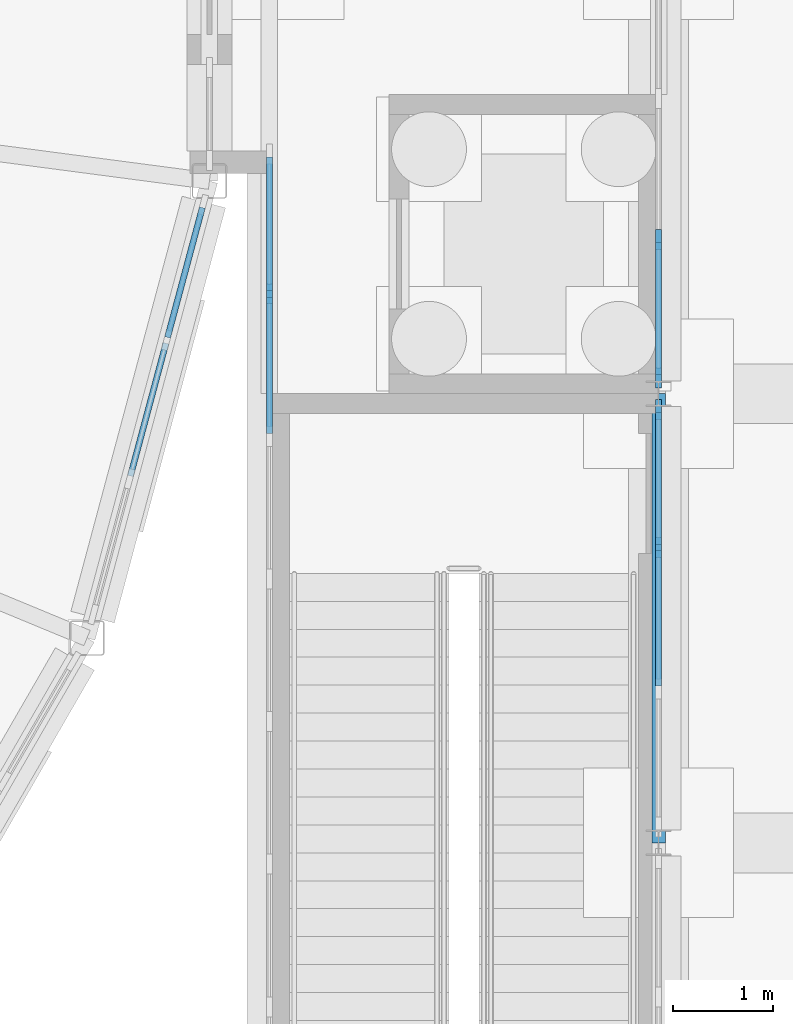
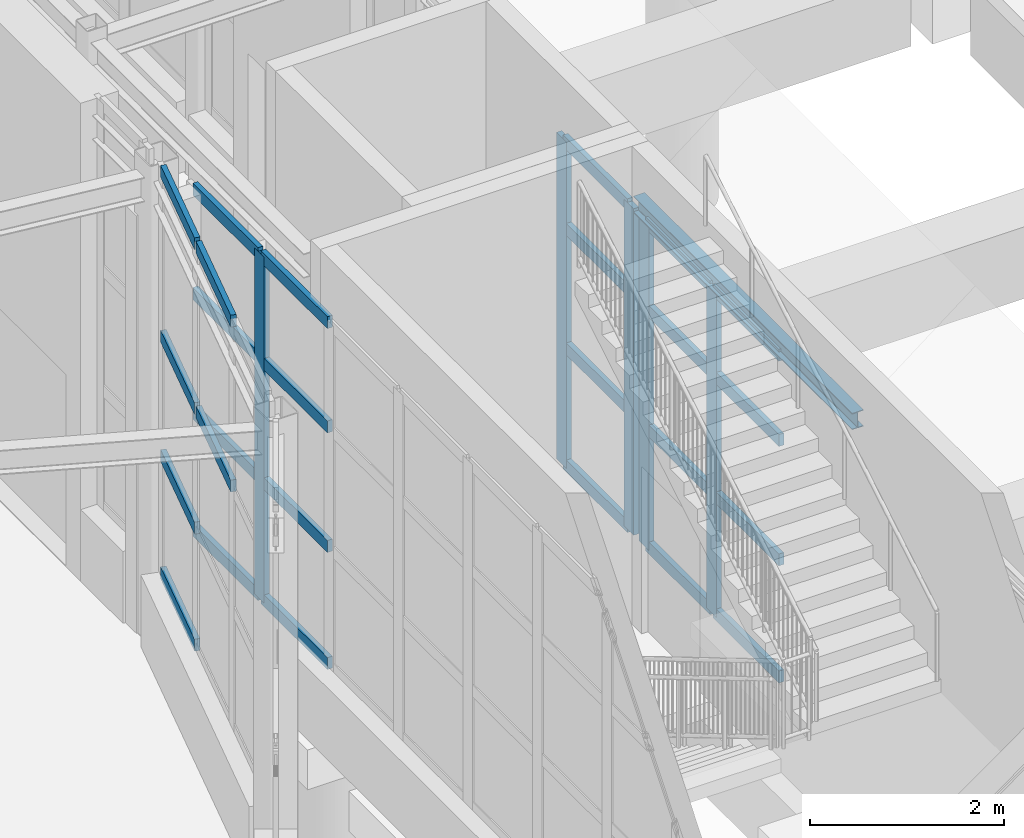
# One storey, part 41 of 106: 31 members, 1 beam, 4 elements without a shape of their own.
"""IFC4 building model written with IfcOpenShell, lengths in metres."""

import ifcopenshell
import ifcopenshell.guid

model = None  # the IFC model being written
_history = None  # IfcOwnerHistory: only IFC2X3 demands one
_inside = {}  # id of a spatial element -> (the spatial element, [elements in it])
_under = {}  # id of a project, library or spatial element -> (it, [spatial elements below it])
_declared = {}  # id of a project -> (the project, [libraries it declares])
_typed = {}  # id of a type object -> (the type object, [elements of that type])
_made_of = {}  # id of a material, layer set ... -> (it, [elements and type objects made of it])


def new_model(schema):
    """Start an empty IFC model of exactly this schema.

    Asked for "IFC4X3", IfcOpenShell would pick the latest addendum, in which some entities
    have other attributes; the version numbers below select the first issue.
    IFC2X3 requires an IfcOwnerHistory on every rooted entity: one is made here for all.
    """
    global model, _history
    if schema == "IFC4X3":
        model = ifcopenshell.file(schema_version=(4, 3, 0, 0))
    else:
        model = ifcopenshell.file(schema=schema)
    _inside.clear()
    _under.clear()
    _declared.clear()
    _typed.clear()
    _made_of.clear()
    _history = None
    if model.schema == "IFC2X3":
        org = make("IfcOrganization", Name="unknown")
        user = make(
            "IfcPersonAndOrganization",
            ThePerson=make("IfcPerson", FamilyName="unknown"),
            TheOrganization=org,
        )
        app = make(
            "IfcApplication",
            ApplicationDeveloper=org,
            Version="unknown",
            ApplicationFullName="unknown",
            ApplicationIdentifier="unknown",
        )
        _history = make(
            "IfcOwnerHistory",
            OwningUser=user,
            OwningApplication=app,
            ChangeAction="ADDED",
            CreationDate=0,
        )
    return model


def make(cls, **values):
    """One entity of the class cls with the attributes given. An attribute that is None is left unset."""
    return model.create_entity(
        cls, **{name: value for name, value in values.items() if value is not None}
    )


def rooted(cls, **values):
    """An entity with a GlobalId (a new one), such as an element, a storey or a relation."""
    return make(cls, GlobalId=ifcopenshell.guid.new(), OwnerHistory=_history, **values)


def si_unit(unit_type, name, prefix=None):
    """IfcSIUnit, for example si_unit("LENGTHUNIT", "METRE", prefix="MILLI")."""
    return make("IfcSIUnit", UnitType=unit_type, Prefix=prefix, Name=name)


def assignment(units):
    """IfcUnitAssignment: the units of a project."""
    return None if units is None else make("IfcUnitAssignment", Units=units)


def point(xyz):
    """IfcCartesianPoint."""
    return None if xyz is None else make("IfcCartesianPoint", Coordinates=xyz)


def direction(xyz):
    """IfcDirection."""
    return None if xyz is None else make("IfcDirection", DirectionRatios=xyz)


def frame(location, z_axis=None, x_axis=None):
    """IfcAxis2Placement3D, a coordinate frame: its origin and axes. An axis left out is left unset."""
    return make(
        "IfcAxis2Placement3D",
        Location=point(location),
        Axis=direction(z_axis),
        RefDirection=direction(x_axis),
    )


def frame_2d(location, x_axis=None):
    """IfcAxis2Placement2D, a coordinate frame in the plane: its origin and x axis."""
    return make(
        "IfcAxis2Placement2D", Location=point(location), RefDirection=direction(x_axis)
    )


def origin():
    """The frame at (0, 0, 0) with its axes left unset."""
    return frame((0.0, 0.0, 0.0))


def origin_2d():
    """The frame at (0, 0) in the plane with its x axis left unset."""
    return frame_2d((0.0, 0.0))


def place(relative_to, where):
    """IfcLocalPlacement: puts the frame where relative to a parent placement (None: the world)."""
    return make(
        "IfcLocalPlacement", PlacementRelTo=relative_to, RelativePlacement=where
    )


def context(
    kind, dimensions, precision=None, world=None, true_north=None, identifier=None
):
    """IfcGeometricRepresentationContext, for example the 3D "Model" context."""
    return make(
        "IfcGeometricRepresentationContext",
        ContextIdentifier=identifier,
        ContextType=kind,
        CoordinateSpaceDimension=dimensions,
        Precision=precision,
        WorldCoordinateSystem=world,
        TrueNorth=true_north,
    )


def subcontext(parent, identifier, kind, view, scale=None):
    """IfcGeometricRepresentationSubContext, for example "Body" below "Model"."""
    return make(
        "IfcGeometricRepresentationSubContext",
        ContextIdentifier=identifier,
        ContextType=kind,
        ParentContext=parent,
        TargetScale=scale,
        TargetView=view,
    )


def project(units=None, contexts=None):
    """IfcProject with its units and contexts."""
    return rooted(
        "IfcProject",
        Name="project",
        RepresentationContexts=contexts,
        UnitsInContext=assignment(units),
    )


def spatial(cls, under=None, at=None, **own):
    """A site, building, storey or space (cls), placed at a placement, below another one or the project."""
    s = rooted(cls, ObjectPlacement=at, **own)
    if under is not None:
        _under.setdefault(under.id(), (under, []))[1].append(s)
    return s


def profile(cls, at=None, kind="AREA", **sizes):
    """A parametric profile (cls). Its sizes go by their IFC names, for example OverallWidth=200.0."""
    return make(cls, ProfileType=kind, Position=at, **sizes)


def rectangle(**sizes):
    """IfcRectangleProfileDef."""
    return profile("IfcRectangleProfileDef", **sizes)


def i_section(**sizes):
    """IfcIShapeProfileDef."""
    return profile("IfcIShapeProfileDef", **sizes)


def extrude(swept, where, along, depth):
    """IfcExtrudedAreaSolid: the profile swept, set in the frame where, extruded along a direction by depth."""
    return make(
        "IfcExtrudedAreaSolid",
        SweptArea=swept,
        Position=where,
        ExtrudedDirection=direction(along),
        Depth=depth,
    )


def shape(context_of_items, identifier, shape_type, items):
    """IfcShapeRepresentation: the items that make up one representation, for example the "Body"."""
    return make(
        "IfcShapeRepresentation",
        ContextOfItems=context_of_items,
        RepresentationIdentifier=identifier,
        RepresentationType=shape_type,
        Items=items,
    )


def material(Name=None, Category=None):
    """IfcMaterial."""
    return make("IfcMaterial", Name=Name, Category=Category)


def layer(
    of_material, thickness, ventilated=None, Name=None, Category=None, Priority=None
):
    """IfcMaterialLayer: one layer of a wall or slab, of a material (None: an air gap)."""
    return make(
        "IfcMaterialLayer",
        Material=of_material,
        LayerThickness=thickness,
        IsVentilated=ventilated,
        Name=Name,
        Category=Category,
        Priority=Priority,
    )


def layer_set(layers, Name=None):
    """IfcMaterialLayerSet."""
    return make("IfcMaterialLayerSet", MaterialLayers=layers, LayerSetName=Name)


def material_profile(
    of_material, cross_section, Name=None, Category=None, Priority=None
):
    """IfcMaterialProfile: a cross section and its material."""
    return make(
        "IfcMaterialProfile",
        Name=Name,
        Material=of_material,
        Profile=cross_section,
        Priority=Priority,
        Category=Category,
    )


def profile_set(profiles, Name=None, composite=None):
    """IfcMaterialProfileSet."""
    return make(
        "IfcMaterialProfileSet",
        Name=Name,
        MaterialProfiles=profiles,
        CompositeProfile=composite,
    )


def made_of(thing, what):
    """Note that an element or type object is made of a material, layer set ...; save() writes the relation."""
    if what is not None:
        _made_of.setdefault(what.id(), (what, []))[1].append(thing)
    return thing


def type_object(cls, material=None, **own):
    """A type object (cls), such as IfcWallType, which elements share."""
    return made_of(rooted(cls, **own), material)


def element(
    cls,
    number,
    at=None,
    inside=None,
    cuts=None,
    type_object=None,
    material=None,
    context=None,
    identifier="Body",
    shape_type=None,
    held_by="IfcProductDefinitionShape",
    body=None,
    shapes=None,
    **own,
):
    """One element of the class cls, such as IfcWall. Its Tag is "e" and its number.

    at: its placement. inside: the storey or other place that contains it. cuts: it is an
    opening in that element (IfcRelVoidsElement). A single representation is given by context,
    identifier, shape_type and body (its items); several are given by shapes. held_by: the class
    of the entity that holds the representations. save() writes the other relations.
    """
    e = rooted(cls, Tag="e%d" % number, ObjectPlacement=at, **own)
    if body is not None:
        shapes = [shape(context, identifier, shape_type, body)]
    if shapes is not None:
        e.Representation = make(held_by, Representations=shapes)
    if inside is not None:
        _inside.setdefault(inside.id(), (inside, []))[1].append(e)
    if cuts is not None:
        rooted(
            "IfcRelVoidsElement", RelatingBuildingElement=cuts, RelatedOpeningElement=e
        )
    if type_object is not None:
        _typed.setdefault(type_object.id(), (type_object, []))[1].append(e)
    return made_of(e, material)


def aggregate(whole, parts):
    """IfcRelAggregates: a whole, such as a stair, and the parts it consists of."""
    return rooted("IfcRelAggregates", RelatingObject=whole, RelatedObjects=parts)


def save(model, path):
    """Write the relations noted so far, then the file.

    IfcRelAggregates (storeys below a building ...), IfcRelContainedInSpatialStructure (elements
    in a storey), IfcRelDefinesByType, IfcRelAssociatesMaterial and IfcRelDeclares: one each for
    every whole, place, type object, material and project.
    """
    for whole, parts in _under.values():
        aggregate(whole, parts)
    for where, things in _inside.values():
        rooted(
            "IfcRelContainedInSpatialStructure",
            RelatedElements=things,
            RelatingStructure=where,
        )
    for kind, things in _typed.values():
        rooted("IfcRelDefinesByType", RelatedObjects=things, RelatingType=kind)
    for what, things in _made_of.values():
        rooted("IfcRelAssociatesMaterial", RelatedObjects=things, RelatingMaterial=what)
    for by, libraries in _declared.values():
        rooted("IfcRelDeclares", RelatingContext=by, RelatedDefinitions=libraries)
    model.write(path)


model = new_model("IFC4")

# Units and contexts
model_context = context("Model", 3, precision=1e-05, world=origin(), true_north=direction((0.0, 1.0)))
body_context = subcontext(model_context, "Body", "Model", "MODEL_VIEW")
ifc_project = project(units=[si_unit("LENGTHUNIT", "METRE"), si_unit("AREAUNIT", "SQUARE_METRE"), si_unit("VOLUMEUNIT", "CUBIC_METRE"), si_unit("PLANEANGLEUNIT", "RADIAN"), si_unit("MASSUNIT", "GRAM", prefix="KILO")], contexts=[model_context])

# Site, building, storey
site_placement = place(None, origin())
site = spatial("IfcSite", under=ifc_project, at=site_placement, CompositionType="ELEMENT")
building_placement = place(site_placement, origin())
building = spatial("IfcBuilding", under=site, at=building_placement, Name="Hortulan Conservatory and Botanical Research Centre", CompositionType="ELEMENT")
storey_placement = place(building_placement, origin())
storey = spatial("IfcBuildingStorey", under=building, at=storey_placement, Name="L00", CompositionType="ELEMENT", Elevation=0.0)

# Curtain wall, member
ifc_material_1 = material(Name="Bronze-finished aluminium", Category="aluminium")
ifc_layer = layer(ifc_material_1, 0.10009765625)
ifc_layer_set = layer_set([ifc_layer], Name="Bronze-framed Curtain Wall 1500 module")
curtain_wall_type = type_object("IfcCurtainWallType", Name="Bronze-framed Curtain Wall 1500 module", PredefinedType="NOTDEFINED", material=ifc_layer_set)
curtain_wall_1_placement = place(storey_placement, origin())
curtain_wall_1 = element("IfcCurtainWall", 1, at=curtain_wall_1_placement, inside=storey, type_object=curtain_wall_type, Name="Curtain wall", PredefinedType="NOTDEFINED")
ifc_material_profile_1 = material_profile(ifc_material_1, rectangle(XDim=0.06005859375, YDim=0.199951171875, at=origin_2d()), Name="Bronze Mullion 60x200")
ifc_profile_set_1 = profile_set([ifc_material_profile_1], Name="Bronze-finished aluminium")
member_type_1 = type_object("IfcMemberType", Name="Bronze Mullion 60x200", PredefinedType="MULLION", material=ifc_profile_set_1)
member_1_placement = place(storey_placement, frame((72.60009765625, 14.50146484375, 0.89990234375), z_axis=(0.0, 0.0, 1.0), x_axis=(-1.0, 0.0, 0.0)))
member_1 = element("IfcMember", 2, at=member_1_placement, type_object=member_type_1, Name="CW1 mullion 8", PredefinedType="MULLION", context=body_context, shape_type="SweptSolid", body=[
    extrude(rectangle(XDim=0.06005859375, YDim=0.199951171875, at=origin_2d()), origin(), (0.0, 0.0, 1.0), 4.340087890625),
])

# Curtain wall, members
curtain_wall_2_placement = place(storey_placement, origin())
curtain_wall_2 = element("IfcCurtainWall", 3, at=curtain_wall_2_placement, inside=storey, type_object=curtain_wall_type, Name="Curtain wall", PredefinedType="NOTDEFINED")
member_2_placement = place(storey_placement, frame((76.5, 15.04296875, 0.89990234375), z_axis=(0.0, 0.0, 1.0), x_axis=(1.0, 0.0, 0.0)))
member_2 = element("IfcMember", 4, at=member_2_placement, type_object=member_type_1, Name="CW1 mullion 3", PredefinedType="MULLION", context=body_context, shape_type="SweptSolid", body=[
    extrude(rectangle(XDim=0.06005859375, YDim=0.199951171875, at=origin_2d()), origin(), (0.0, 0.0, 1.0), 4.10009765625),
])
member_3_placement = place(storey_placement, frame((76.5, 13.656982421875, 0.89990234375), z_axis=(0.0, 0.0, 1.0), x_axis=(1.0, 0.0, 0.0)))
member_3 = element("IfcMember", 5, at=member_3_placement, type_object=member_type_1, Name="CW1 mullion 4", PredefinedType="MULLION", context=body_context, shape_type="SweptSolid", body=[
    extrude(rectangle(XDim=0.06005859375, YDim=0.199951171875, at=origin_2d()), origin(), (0.0, 0.0, 1.0), 4.10009765625),
])

curtain_wall_3_placement = place(storey_placement, origin())
curtain_wall_3 = element("IfcCurtainWall", 6, at=curtain_wall_3_placement, inside=storey, type_object=curtain_wall_type, Name="Curtain wall", PredefinedType="NOTDEFINED")
member_4_placement = place(storey_placement, frame((76.5, 13.343017578125, 0.89990234375), z_axis=(0.0, 0.0, 1.0), x_axis=(1.0, 0.0, 0.0)))
member_4 = element("IfcMember", 7, at=member_4_placement, type_object=member_type_1, Name="CW1 mullion 1", PredefinedType="MULLION", context=body_context, shape_type="SweptSolid", body=[
    extrude(rectangle(XDim=0.06005859375, YDim=0.199951171875, at=origin_2d()), origin(), (0.0, 0.0, 1.0), 4.10009765625),
])
member_5_placement = place(storey_placement, frame((76.5, 11.957763671875, 0.89990234375), z_axis=(0.0, 0.0, 1.0), x_axis=(1.0, 0.0, 0.0)))
member_5 = element("IfcMember", 8, at=member_5_placement, type_object=member_type_1, Name="CW1 mullion 2", PredefinedType="MULLION", context=body_context, shape_type="SweptSolid", body=[
    extrude(rectangle(XDim=0.06005859375, YDim=0.199951171875, at=origin_2d()), origin(), (0.0, 0.0, 1.0), 4.10009765625),
])

curtain_wall_4_placement = place(storey_placement, origin())
curtain_wall_4 = element("IfcCurtainWall", 9, at=curtain_wall_4_placement, inside=storey, type_object=curtain_wall_type, Name="Curtain wall", PredefinedType="NOTDEFINED")
ifc_material_profile_2 = material_profile(ifc_material_1, rectangle(XDim=0.06005859375, YDim=0.14990234375, at=origin_2d()), Name="Bronze Transom 60x150")
ifc_profile_set_2 = profile_set([ifc_material_profile_2], Name="Bronze-finished aluminium")
member_type_2 = type_object("IfcMemberType", Name="Bronze Transom 60x150", PredefinedType="USERDEFINED", material=ifc_profile_set_2)
member_6_placement = place(storey_placement, frame((71.928955078125, 15.364990234375, 0.929931640625), z_axis=(-0.258835745824, -0.965921351189, 0.0), x_axis=(0.965921351189, -0.258835745824, 0.0)))
member_6 = element("IfcMember", 10, at=member_6_placement, type_object=member_type_2, Name="CW1 transom 1.1", ObjectType="TRANSOM", PredefinedType="USERDEFINED", context=body_context, shape_type="SweptSolid", body=[
    extrude(rectangle(XDim=0.06005859375, YDim=0.14990234375, at=origin_2d()), origin(), (0.0, 0.0, 1.0), 1.346923828125),
])
member_7_placement = place(storey_placement, frame((71.928955078125, 15.364990234375, 2.39990234375), z_axis=(-0.258835745824, -0.965921351189, 0.0), x_axis=(0.965921351189, -0.258835745824, 0.0)))
member_7 = element("IfcMember", 11, at=member_7_placement, type_object=member_type_2, Name="CW1 transom 1.2", ObjectType="TRANSOM", PredefinedType="USERDEFINED", context=body_context, shape_type="SweptSolid", body=[
    extrude(rectangle(XDim=0.06005859375, YDim=0.14990234375, at=origin_2d()), origin(), (0.0, 0.0, 1.0), 1.346923828125),
])
member_8_placement = place(storey_placement, frame((71.928955078125, 15.364990234375, 3.89990234375), z_axis=(-0.258835745824, -0.965921351189, 0.0), x_axis=(0.965921351189, -0.258835745824, 0.0)))
member_8 = element("IfcMember", 12, at=member_8_placement, type_object=member_type_2, Name="CW1 transom 1.3", ObjectType="TRANSOM", PredefinedType="USERDEFINED", context=body_context, shape_type="SweptSolid", body=[
    extrude(rectangle(XDim=0.06005859375, YDim=0.14990234375, at=origin_2d()), origin(), (0.0, 0.0, 1.0), 1.346923828125),
])
member_9_placement = place(storey_placement, frame((71.928955078125, 15.364990234375, 5.969970703125), z_axis=(-0.258835745824, -0.965921351189, 0.0), x_axis=(0.965921351189, -0.258835745824, 0.0)))
member_9 = element("IfcMember", 13, at=member_9_placement, type_object=member_type_2, Name="CW1 transom 1.4", ObjectType="TRANSOM", PredefinedType="USERDEFINED", context=body_context, shape_type="SweptSolid", body=[
    extrude(rectangle(XDim=0.06005859375, YDim=0.14990234375, at=origin_2d()), origin(), (0.0, 0.0, 1.0), 1.346923828125),
])
member_10_placement = place(storey_placement, frame((71.564697265625, 14.006103515625, 3.89990234375), z_axis=(-0.258688817498, -0.965960711262, 0.0), x_axis=(0.965960711262, -0.258688817498, 0.0)))
member_10 = element("IfcMember", 14, at=member_10_placement, type_object=member_type_2, Name="CW1 transom 2.3", ObjectType="TRANSOM", PredefinedType="USERDEFINED", context=body_context, shape_type="SweptSolid", body=[
    extrude(rectangle(XDim=0.06005859375, YDim=0.14990234375, at=origin_2d()), origin(), (0.0, 0.0, 1.0), 1.376953125),
])
member_11_placement = place(storey_placement, frame((71.564697265625, 14.006103515625, 5.969970703125), z_axis=(-0.258688817498, -0.965960711262, 0.0), x_axis=(0.965960711262, -0.258688817498, 0.0)))
member_11 = element("IfcMember", 15, at=member_11_placement, type_object=member_type_2, Name="CW1 transom 2.4", ObjectType="TRANSOM", PredefinedType="USERDEFINED", context=body_context, shape_type="SweptSolid", body=[
    extrude(rectangle(XDim=0.06005859375, YDim=0.14990234375, at=origin_2d()), origin(), (0.0, 0.0, 1.0), 1.376953125),
])
aggregate(curtain_wall_4, [member_6, member_7, member_8, member_9, member_10, member_11])

# Member
member_12_placement = place(storey_placement, frame((72.60009765625, 13.102783203125, 0.929931640625), z_axis=(0.0, 1.0, 0.0), x_axis=(-1.0, 0.0, 0.0)))
member_12 = element("IfcMember", 16, at=member_12_placement, type_object=member_type_2, Name="CW1 transom 7.1", ObjectType="TRANSOM", PredefinedType="USERDEFINED", context=body_context, shape_type="SweptSolid", body=[
    extrude(rectangle(XDim=0.06005859375, YDim=0.14990234375, at=origin_2d()), origin(), (0.0, 0.0, 1.0), 1.36865234375),
])

member_13_placement = place(storey_placement, frame((72.60009765625, 13.102783203125, 2.39990234375), z_axis=(0.0, 1.0, 0.0), x_axis=(-1.0, 0.0, 0.0)))
member_13 = element("IfcMember", 17, at=member_13_placement, type_object=member_type_2, Name="CW1 transom 7.2", ObjectType="TRANSOM", PredefinedType="USERDEFINED", context=body_context, shape_type="SweptSolid", body=[
    extrude(rectangle(XDim=0.06005859375, YDim=0.14990234375, at=origin_2d()), origin(), (0.0, 0.0, 1.0), 1.36865234375),
])

member_14_placement = place(storey_placement, frame((72.60009765625, 13.102783203125, 3.89990234375), z_axis=(0.0, 1.0, 0.0), x_axis=(-1.0, 0.0, 0.0)))
member_14 = element("IfcMember", 18, at=member_14_placement, type_object=member_type_2, Name="CW1 transom 7.3", ObjectType="TRANSOM", PredefinedType="USERDEFINED", context=body_context, shape_type="SweptSolid", body=[
    extrude(rectangle(XDim=0.06005859375, YDim=0.14990234375, at=origin_2d()), origin(), (0.0, 0.0, 1.0), 1.36865234375),
])

member_15_placement = place(storey_placement, frame((72.60009765625, 13.102783203125, 5.2099609375), z_axis=(0.0, 1.0, 0.0), x_axis=(-1.0, 0.0, 0.0)))
member_15 = element("IfcMember", 19, at=member_15_placement, type_object=member_type_2, Name="CW1 transom 7.4", ObjectType="TRANSOM", PredefinedType="USERDEFINED", context=body_context, shape_type="SweptSolid", body=[
    extrude(rectangle(XDim=0.06005859375, YDim=0.14990234375, at=origin_2d()), origin(), (0.0, 0.0, 1.0), 1.36865234375),
])

member_16_placement = place(storey_placement, frame((72.60009765625, 14.531494140625, 0.929931640625), z_axis=(0.0, 1.0, 0.0), x_axis=(-1.0, 0.0, 0.0)))
member_16 = element("IfcMember", 20, at=member_16_placement, type_object=member_type_2, Name="CW1 transom 8.1", ObjectType="TRANSOM", PredefinedType="USERDEFINED", context=body_context, shape_type="SweptSolid", body=[
    extrude(rectangle(XDim=0.06005859375, YDim=0.14990234375, at=origin_2d()), origin(), (0.0, 0.0, 1.0), 1.3388671875),
])

member_17_placement = place(storey_placement, frame((72.60009765625, 14.531494140625, 2.39990234375), z_axis=(0.0, 1.0, 0.0), x_axis=(-1.0, 0.0, 0.0)))
member_17 = element("IfcMember", 21, at=member_17_placement, type_object=member_type_2, Name="CW1 transom 8.2", ObjectType="TRANSOM", PredefinedType="USERDEFINED", context=body_context, shape_type="SweptSolid", body=[
    extrude(rectangle(XDim=0.06005859375, YDim=0.14990234375, at=origin_2d()), origin(), (0.0, 0.0, 1.0), 1.3388671875),
])

member_18_placement = place(storey_placement, frame((72.60009765625, 14.531494140625, 3.89990234375), z_axis=(0.0, 1.0, 0.0), x_axis=(-1.0, 0.0, 0.0)))
member_18 = element("IfcMember", 22, at=member_18_placement, type_object=member_type_2, Name="CW1 transom 8.3", ObjectType="TRANSOM", PredefinedType="USERDEFINED", context=body_context, shape_type="SweptSolid", body=[
    extrude(rectangle(XDim=0.06005859375, YDim=0.14990234375, at=origin_2d()), origin(), (0.0, 0.0, 1.0), 1.3388671875),
])

member_19_placement = place(storey_placement, frame((72.60009765625, 14.531494140625, 5.2099609375), z_axis=(0.0, 1.0, 0.0), x_axis=(-1.0, 0.0, 0.0)))
member_19 = element("IfcMember", 23, at=member_19_placement, type_object=member_type_2, Name="CW1 transom 8.4", ObjectType="TRANSOM", PredefinedType="USERDEFINED", context=body_context, shape_type="SweptSolid", body=[
    extrude(rectangle(XDim=0.06005859375, YDim=0.14990234375, at=origin_2d()), origin(), (0.0, 0.0, 1.0), 1.3388671875),
])

aggregate(curtain_wall_1, [member_1, member_12, member_13, member_14, member_15, member_16, member_17, member_18, member_19])

member_20_placement = place(storey_placement, frame((76.5, 15.012939453125, 0.929931640625), z_axis=(0.0, -1.0, 0.0), x_axis=(1.0, 0.0, 0.0)))
member_20 = element("IfcMember", 24, at=member_20_placement, type_object=member_type_2, Name="CW1 transom 3.1", ObjectType="TRANSOM", PredefinedType="USERDEFINED", context=body_context, shape_type="SweptSolid", body=[
    extrude(rectangle(XDim=0.06005859375, YDim=0.14990234375, at=origin_2d()), origin(), (0.0, 0.0, 1.0), 1.325927734375),
])

member_21_placement = place(storey_placement, frame((76.5, 15.012939453125, 2.39990234375), z_axis=(0.0, -1.0, 0.0), x_axis=(1.0, 0.0, 0.0)))
member_21 = element("IfcMember", 25, at=member_21_placement, type_object=member_type_2, Name="CW1 transom 3.2", ObjectType="TRANSOM", PredefinedType="USERDEFINED", context=body_context, shape_type="SweptSolid", body=[
    extrude(rectangle(XDim=0.06005859375, YDim=0.14990234375, at=origin_2d()), origin(), (0.0, 0.0, 1.0), 1.325927734375),
])

member_22_placement = place(storey_placement, frame((76.5, 15.012939453125, 3.89990234375), z_axis=(0.0, -1.0, 0.0), x_axis=(1.0, 0.0, 0.0)))
member_22 = element("IfcMember", 26, at=member_22_placement, type_object=member_type_2, Name="CW1 transom 3.3", ObjectType="TRANSOM", PredefinedType="USERDEFINED", context=body_context, shape_type="SweptSolid", body=[
    extrude(rectangle(XDim=0.06005859375, YDim=0.14990234375, at=origin_2d()), origin(), (0.0, 0.0, 1.0), 1.325927734375),
])

member_23_placement = place(storey_placement, frame((76.5, 15.012939453125, 4.969970703125), z_axis=(0.0, -1.0, 0.0), x_axis=(1.0, 0.0, 0.0)))
member_23 = element("IfcMember", 27, at=member_23_placement, type_object=member_type_2, Name="CW1 transom 3.4", ObjectType="TRANSOM", PredefinedType="USERDEFINED", context=body_context, shape_type="SweptSolid", body=[
    extrude(rectangle(XDim=0.06005859375, YDim=0.14990234375, at=origin_2d()), origin(), (0.0, 0.0, 1.0), 1.325927734375),
])

aggregate(curtain_wall_2, [member_2, member_3, member_20, member_21, member_22, member_23])

member_24_placement = place(storey_placement, frame((76.5, 13.31298828125, 0.929931640625), z_axis=(0.0, -1.0, 0.0), x_axis=(1.0, 0.0, 0.0)))
member_24 = element("IfcMember", 28, at=member_24_placement, type_object=member_type_2, Name="CW1 transom 1.1", ObjectType="TRANSOM", PredefinedType="USERDEFINED", context=body_context, shape_type="SweptSolid", body=[
    extrude(rectangle(XDim=0.06005859375, YDim=0.14990234375, at=origin_2d()), origin(), (0.0, 0.0, 1.0), 1.325439453125),
])

member_25_placement = place(storey_placement, frame((76.5, 13.31298828125, 2.39990234375), z_axis=(0.0, -1.0, 0.0), x_axis=(1.0, 0.0, 0.0)))
member_25 = element("IfcMember", 29, at=member_25_placement, type_object=member_type_2, Name="CW1 transom 1.2", ObjectType="TRANSOM", PredefinedType="USERDEFINED", context=body_context, shape_type="SweptSolid", body=[
    extrude(rectangle(XDim=0.06005859375, YDim=0.14990234375, at=origin_2d()), origin(), (0.0, 0.0, 1.0), 1.325439453125),
])

member_26_placement = place(storey_placement, frame((76.5, 13.31298828125, 3.89990234375), z_axis=(0.0, -1.0, 0.0), x_axis=(1.0, 0.0, 0.0)))
member_26 = element("IfcMember", 30, at=member_26_placement, type_object=member_type_2, Name="CW1 transom 1.3", ObjectType="TRANSOM", PredefinedType="USERDEFINED", context=body_context, shape_type="SweptSolid", body=[
    extrude(rectangle(XDim=0.06005859375, YDim=0.14990234375, at=origin_2d()), origin(), (0.0, 0.0, 1.0), 1.325439453125),
])

member_27_placement = place(storey_placement, frame((76.5, 13.31298828125, 4.969970703125), z_axis=(0.0, -1.0, 0.0), x_axis=(1.0, 0.0, 0.0)))
member_27 = element("IfcMember", 31, at=member_27_placement, type_object=member_type_2, Name="CW1 transom 1.4", ObjectType="TRANSOM", PredefinedType="USERDEFINED", context=body_context, shape_type="SweptSolid", body=[
    extrude(rectangle(XDim=0.06005859375, YDim=0.14990234375, at=origin_2d()), origin(), (0.0, 0.0, 1.0), 1.325439453125),
])

member_28_placement = place(storey_placement, frame((76.5, 11.927734375, 0.929931640625), z_axis=(0.0, -1.0, 0.0), x_axis=(1.0, 0.0, 0.0)))
member_28 = element("IfcMember", 32, at=member_28_placement, type_object=member_type_2, Name="CW1 transom 2.1", ObjectType="TRANSOM", PredefinedType="USERDEFINED", context=body_context, shape_type="SweptSolid", body=[
    extrude(rectangle(XDim=0.06005859375, YDim=0.14990234375, at=origin_2d()), origin(), (0.0, 0.0, 1.0), 1.35546875),
])

member_29_placement = place(storey_placement, frame((76.5, 11.927734375, 2.39990234375), z_axis=(0.0, -1.0, 0.0), x_axis=(1.0, 0.0, 0.0)))
member_29 = element("IfcMember", 33, at=member_29_placement, type_object=member_type_2, Name="CW1 transom 2.2", ObjectType="TRANSOM", PredefinedType="USERDEFINED", context=body_context, shape_type="SweptSolid", body=[
    extrude(rectangle(XDim=0.06005859375, YDim=0.14990234375, at=origin_2d()), origin(), (0.0, 0.0, 1.0), 1.35546875),
])

member_30_placement = place(storey_placement, frame((76.5, 11.927734375, 3.89990234375), z_axis=(0.0, -1.0, 0.0), x_axis=(1.0, 0.0, 0.0)))
member_30 = element("IfcMember", 34, at=member_30_placement, type_object=member_type_2, Name="CW1 transom 2.3", ObjectType="TRANSOM", PredefinedType="USERDEFINED", context=body_context, shape_type="SweptSolid", body=[
    extrude(rectangle(XDim=0.06005859375, YDim=0.14990234375, at=origin_2d()), origin(), (0.0, 0.0, 1.0), 1.35546875),
])

member_31_placement = place(storey_placement, frame((76.5, 11.927734375, 4.969970703125), z_axis=(0.0, -1.0, 0.0), x_axis=(1.0, 0.0, 0.0)))
member_31 = element("IfcMember", 35, at=member_31_placement, type_object=member_type_2, Name="CW1 transom 2.4", ObjectType="TRANSOM", PredefinedType="USERDEFINED", context=body_context, shape_type="SweptSolid", body=[
    extrude(rectangle(XDim=0.06005859375, YDim=0.14990234375, at=origin_2d()), origin(), (0.0, 0.0, 1.0), 1.35546875),
])

aggregate(curtain_wall_3, [member_4, member_5, member_24, member_25, member_26, member_27, member_28, member_29, member_30, member_31])

# Beam
ifc_material_2 = material(Name="Steel Grade 300PLUS (AS/NZS 3679.1, 280 MPa minimum yield)", Category="steel")
ifc_material_profile_3 = material_profile(ifc_material_2, i_section(OverallWidth=0.134033203125, OverallDepth=0.20703125, WebThickness=0.00634765625, FlangeThickness=0.009521484375, FilletRadius=0.0087890625, at=origin_2d()), Name="200UB29.8")
ifc_profile_set_3 = profile_set([ifc_material_profile_3], Name="Steel Grade 300PLUS (AS/NZS 3679.1, 280 MPa minimum yield)")
beam_type = type_object("IfcBeamType", Name="Climate House Eaves Beam 200UB29.8", PredefinedType="BEAM", material=ifc_profile_set_3)
beam_placement = place(storey_placement, frame((76.5, 9.0, 5.103515625), z_axis=(0.0, 1.0, 0.0), x_axis=(-1.0, 0.0, 0.0)))
element("IfcBeam", 36, at=beam_placement, inside=storey, type_object=beam_type, Name="Climate house eaves beam line 1 bay 3", PredefinedType="BEAM", context=body_context, shape_type="SweptSolid", body=[
    extrude(i_section(OverallWidth=0.134033203125, OverallDepth=0.20703125, WebThickness=0.00634765625, FlangeThickness=0.009521484375, FilletRadius=0.0087890625, at=origin_2d()), origin(), (0.0, 0.0, 1.0), 4.5),
])

save(model, "model.ifc")
